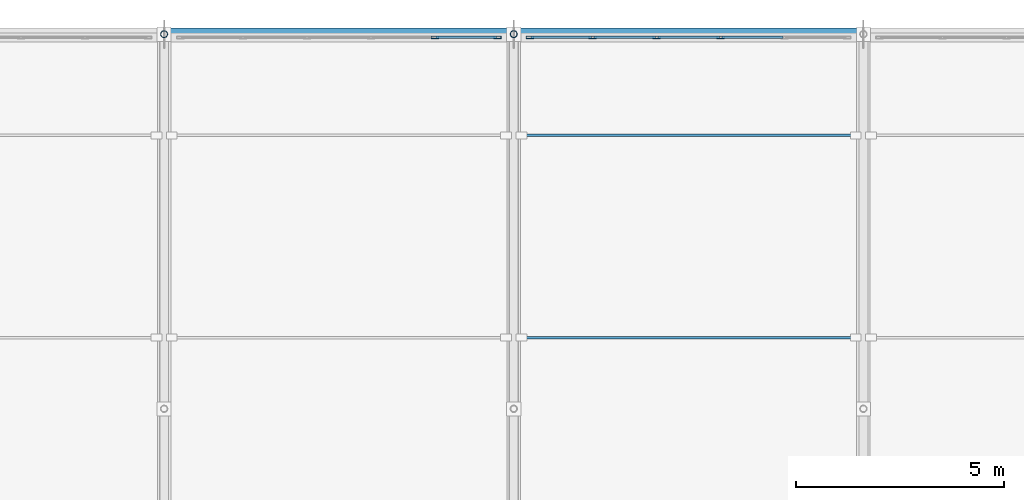
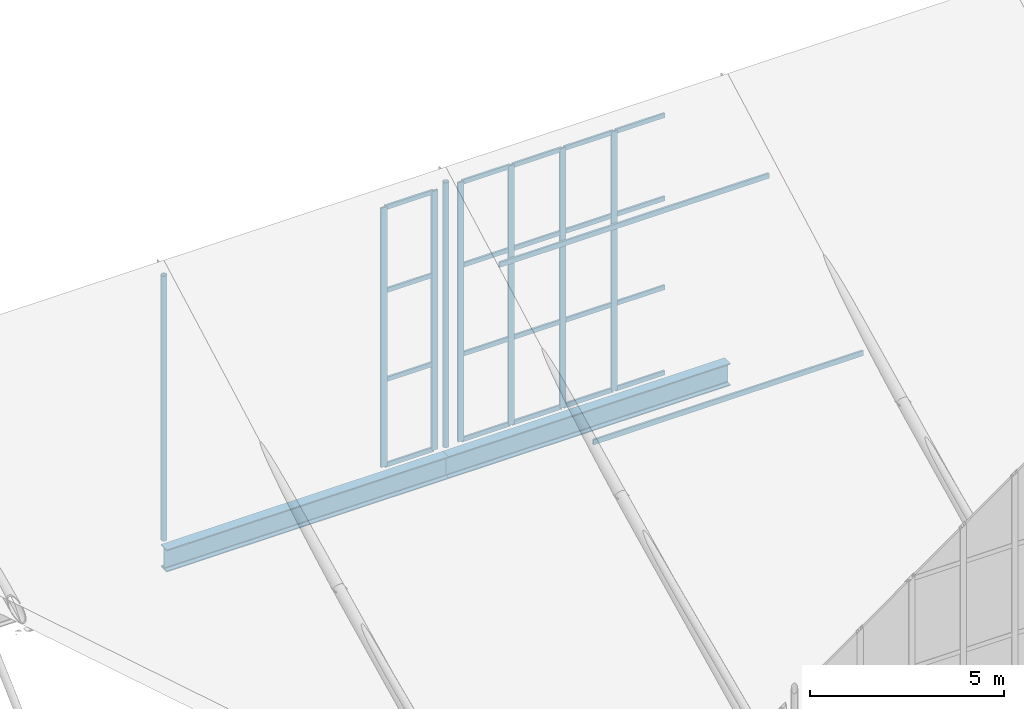
# One storey, part 25 of 38: 30 members, 2 beams, 2 elements without a shape of their own.
"""IFC4 building model written with IfcOpenShell, lengths in metres."""

from ifc_helpers import new_model, si_unit, direction, frame, origin, origin_2d, place, context, subcontext, project, spatial, hollow_rectangle, hollow_circle, i_section, extrude, material, material_profile, profile_set, type_object, element, aggregate, save


model = new_model("IFC4")

# Units and contexts
model_context = context("Model", 3, precision=1e-05, world=origin(), true_north=direction((0.0, 1.0)))
body_context = subcontext(model_context, "Body", "Model", "MODEL_VIEW")
ifc_project = project(units=[si_unit("LENGTHUNIT", "METRE"), si_unit("AREAUNIT", "SQUARE_METRE"), si_unit("VOLUMEUNIT", "CUBIC_METRE"), si_unit("PLANEANGLEUNIT", "RADIAN"), si_unit("MASSUNIT", "GRAM", prefix="KILO")], contexts=[model_context])

# Site, building, storey
site_placement = place(None, origin())
site = spatial("IfcSite", under=ifc_project, at=site_placement, CompositionType="ELEMENT")
building_placement = place(site_placement, origin())
building = spatial("IfcBuilding", under=site, at=building_placement, Name="Veltarok Museum of Natural Sciences", CompositionType="ELEMENT")
storey_placement = place(building_placement, frame((0.0, 0.0, 31.199951171875)))
storey = spatial("IfcBuildingStorey", under=building, at=storey_placement, Name="RF", CompositionType="ELEMENT", Elevation=31.199951171875)

# Beams
ifc_material_1 = material(Name="Steel S355J2", Category="steel")
ifc_material_profile_1 = material_profile(ifc_material_1, i_section(OverallWidth=0.300048828125, OverallDepth=0.699951171875, WebThickness=0.01708984375, FlangeThickness=0.031982421875, FilletRadius=0.027099609375, at=origin_2d()), Name="HEB 700")
ifc_profile_set_1 = profile_set([ifc_material_profile_1], Name="Steel S355J2")
beam_type = type_object("IfcBeamType", Name="Long-Span Hall Girder HEB 700", PredefinedType="BEAM", material=ifc_profile_set_1)
beam_1_placement = place(storey_placement, frame((65.199951171875, 72.0, -6.389892578125), z_axis=(1.0, 0.0, 0.0), x_axis=(0.0, 1.0, 0.0)))
element("IfcBeam", 1, at=beam_1_placement, inside=storey, type_object=beam_type, Name="Sawtooth Valley Girder 8-9 Y=72.0", PredefinedType="BEAM", context=body_context, shape_type="SweptSolid", body=[
    extrude(i_section(OverallWidth=0.300048828125, OverallDepth=0.699951171875, WebThickness=0.01708984375, FlangeThickness=0.031982421875, FilletRadius=0.027099609375, at=origin_2d()), origin(), (0.0, 0.0, 1.0), 8.400146484375),
])
beam_2_placement = place(storey_placement, frame((73.60009765625, 72.0, -6.389892578125), z_axis=(1.0, 0.0, 0.0), x_axis=(0.0, 1.0, 0.0)))
element("IfcBeam", 2, at=beam_2_placement, inside=storey, type_object=beam_type, Name="Sawtooth Valley Girder 9-10 Y=72.0", PredefinedType="BEAM", context=body_context, shape_type="SweptSolid", body=[
    extrude(i_section(OverallWidth=0.300048828125, OverallDepth=0.699951171875, WebThickness=0.01708984375, FlangeThickness=0.031982421875, FilletRadius=0.027099609375, at=origin_2d()), origin(), (0.0, 0.0, 1.0), 8.39990234375),
])

# Curtain wall, members
ifc_material_2 = material(Name="Low-iron triple insulated glass", Category="glass")
curtain_wall_type = type_object("IfcCurtainWallType", Name="Curtain Wall System CW-SAW-M2-768x817 (Sawtooth North Clerestory M2 768x817cm)", PredefinedType="NOTDEFINED", material=ifc_material_2)
curtain_wall_1_placement = place(storey_placement, origin())
curtain_wall_1 = element("IfcCurtainWall", 3, at=curtain_wall_1_placement, inside=storey, type_object=curtain_wall_type, Name="Curtain Wall CW-SAW-M2-768x817 CW-SAW-0079", PredefinedType="NOTDEFINED")
ifc_material_3 = material(Name="Thermally broken anodised aluminium", Category="aluminium")
ifc_material_profile_2 = material_profile(ifc_material_3, hollow_rectangle(XDim=0.06005859375, YDim=0.179931640625, WallThickness=0.006103515625, at=origin_2d()), Name="CW MULLION 60x180x6")
ifc_profile_set_2 = profile_set([ifc_material_profile_2], Name="Thermally broken anodised aluminium")
member_type_1 = type_object("IfcMemberType", Name="Sawtooth Clerestory Mullion 60x180x6", PredefinedType="MULLION", material=ifc_profile_set_2)
member_1_placement = place(storey_placement, frame((73.2099609375, 71.919921875, -5.719970703125), z_axis=(0.0, 0.0, 1.0), x_axis=(0.0, -1.0, 0.0)))
member_1 = element("IfcMember", 4, at=member_1_placement, type_object=member_type_1, Name="CW-SAW-M2-768x817 mullion 1", PredefinedType="MULLION", context=body_context, shape_type="SweptSolid", body=[
    extrude(hollow_rectangle(XDim=0.06005859375, YDim=0.179931640625, WallThickness=0.006103515625, at=origin_2d()), origin(), (0.0, 0.0, 1.0), 8.169921875),
])
member_2_placement = place(storey_placement, frame((71.7041015625, 71.919921875, -5.719970703125), z_axis=(0.0, 0.0, 1.0), x_axis=(0.0, -1.0, 0.0)))
member_2 = element("IfcMember", 5, at=member_2_placement, type_object=member_type_1, Name="CW-SAW-M2-768x817 mullion 2", PredefinedType="MULLION", context=body_context, shape_type="SweptSolid", body=[
    extrude(hollow_rectangle(XDim=0.06005859375, YDim=0.179931640625, WallThickness=0.006103515625, at=origin_2d()), origin(), (0.0, 0.0, 1.0), 8.169921875),
])

curtain_wall_2_placement = place(storey_placement, origin())
curtain_wall_2 = element("IfcCurtainWall", 6, at=curtain_wall_2_placement, inside=storey, type_object=curtain_wall_type, Name="Curtain Wall CW-SAW-M2-768x817 CW-SAW-0081", PredefinedType="NOTDEFINED")
member_3_placement = place(storey_placement, frame((78.568115234375, 71.919921875, -5.719970703125), z_axis=(0.0, 0.0, 1.0), x_axis=(0.0, -1.0, 0.0)))
member_3 = element("IfcMember", 7, at=member_3_placement, type_object=member_type_1, Name="CW-SAW-M2-768x817 mullion 3", PredefinedType="MULLION", context=body_context, shape_type="SweptSolid", body=[
    extrude(hollow_rectangle(XDim=0.06005859375, YDim=0.179931640625, WallThickness=0.006103515625, at=origin_2d()), origin(), (0.0, 0.0, 1.0), 8.169921875),
])
member_4_placement = place(storey_placement, frame((77.031982421875, 71.919921875, -5.719970703125), z_axis=(0.0, 0.0, 1.0), x_axis=(0.0, -1.0, 0.0)))
member_4 = element("IfcMember", 8, at=member_4_placement, type_object=member_type_1, Name="CW-SAW-M2-768x817 mullion 4", PredefinedType="MULLION", context=body_context, shape_type="SweptSolid", body=[
    extrude(hollow_rectangle(XDim=0.06005859375, YDim=0.179931640625, WallThickness=0.006103515625, at=origin_2d()), origin(), (0.0, 0.0, 1.0), 8.169921875),
])
member_5_placement = place(storey_placement, frame((75.49609375, 71.919921875, -5.719970703125), z_axis=(0.0, 0.0, 1.0), x_axis=(0.0, -1.0, 0.0)))
member_5 = element("IfcMember", 9, at=member_5_placement, type_object=member_type_1, Name="CW-SAW-M2-768x817 mullion 5", PredefinedType="MULLION", context=body_context, shape_type="SweptSolid", body=[
    extrude(hollow_rectangle(XDim=0.06005859375, YDim=0.179931640625, WallThickness=0.006103515625, at=origin_2d()), origin(), (0.0, 0.0, 1.0), 8.169921875),
])
member_6_placement = place(storey_placement, frame((73.989990234375, 71.919921875, -5.719970703125), z_axis=(0.0, 0.0, 1.0), x_axis=(0.0, -1.0, 0.0)))
member_6 = element("IfcMember", 10, at=member_6_placement, type_object=member_type_1, Name="CW-SAW-M2-768x817 mullion 6", PredefinedType="MULLION", context=body_context, shape_type="SweptSolid", body=[
    extrude(hollow_rectangle(XDim=0.06005859375, YDim=0.179931640625, WallThickness=0.006103515625, at=origin_2d()), origin(), (0.0, 0.0, 1.0), 8.169921875),
])

# Member
ifc_material_profile_3 = material_profile(ifc_material_3, hollow_rectangle(XDim=0.06005859375, YDim=0.139892578125, WallThickness=0.0048828125, at=origin_2d()), Name="CW TRANSOM 60x140x5")
ifc_profile_set_3 = profile_set([ifc_material_profile_3], Name="Thermally broken anodised aluminium")
member_type_2 = type_object("IfcMemberType", Name="Sawtooth Clerestory Transom 60x140x5", PredefinedType="USERDEFINED", material=ifc_profile_set_3)
member_7_placement = place(storey_placement, frame((73.179931640625, 71.919921875, -5.68994140625), z_axis=(-1.0, 0.0, 0.0), x_axis=(0.0, -1.0, 0.0)))
member_7 = element("IfcMember", 11, at=member_7_placement, type_object=member_type_2, Name="CW-SAW-M2-768x817 transom 1.1", ObjectType="TRANSOM", PredefinedType="USERDEFINED", context=body_context, shape_type="SweptSolid", body=[
    extrude(hollow_rectangle(XDim=0.06005859375, YDim=0.139892578125, WallThickness=0.0048828125, at=origin_2d()), origin(), (0.0, 0.0, 1.0), 1.446044921875),
])

member_8_placement = place(storey_placement, frame((73.179931640625, 71.919921875, -3.0), z_axis=(-1.0, 0.0, 0.0), x_axis=(0.0, -1.0, 0.0)))
member_8 = element("IfcMember", 12, at=member_8_placement, type_object=member_type_2, Name="CW-SAW-M2-768x817 transom 1.2", ObjectType="TRANSOM", PredefinedType="USERDEFINED", context=body_context, shape_type="SweptSolid", body=[
    extrude(hollow_rectangle(XDim=0.06005859375, YDim=0.139892578125, WallThickness=0.0048828125, at=origin_2d()), origin(), (0.0, 0.0, 1.0), 1.446044921875),
])

member_9_placement = place(storey_placement, frame((73.179931640625, 71.919921875, -0.199951171875), z_axis=(-1.0, 0.0, 0.0), x_axis=(0.0, -1.0, 0.0)))
member_9 = element("IfcMember", 13, at=member_9_placement, type_object=member_type_2, Name="CW-SAW-M2-768x817 transom 1.3", ObjectType="TRANSOM", PredefinedType="USERDEFINED", context=body_context, shape_type="SweptSolid", body=[
    extrude(hollow_rectangle(XDim=0.06005859375, YDim=0.139892578125, WallThickness=0.0048828125, at=origin_2d()), origin(), (0.0, 0.0, 1.0), 1.446044921875),
])

member_10_placement = place(storey_placement, frame((73.179931640625, 71.919921875, 2.420166015625), z_axis=(-1.0, 0.0, 0.0), x_axis=(0.0, -1.0, 0.0)))
member_10 = element("IfcMember", 14, at=member_10_placement, type_object=member_type_2, Name="CW-SAW-M2-768x817 transom 1.4", ObjectType="TRANSOM", PredefinedType="USERDEFINED", context=body_context, shape_type="SweptSolid", body=[
    extrude(hollow_rectangle(XDim=0.06005859375, YDim=0.139892578125, WallThickness=0.0048828125, at=origin_2d()), origin(), (0.0, 0.0, 1.0), 1.446044921875),
])

aggregate(curtain_wall_1, [member_1, member_2, member_7, member_8, member_9, member_10])

member_11_placement = place(storey_placement, frame((80.073974609375, 71.919921875, -5.68994140625), z_axis=(-1.0, 0.0, 0.0), x_axis=(0.0, -1.0, 0.0)))
member_11 = element("IfcMember", 15, at=member_11_placement, type_object=member_type_2, Name="CW-SAW-M2-768x817 transom 2.1", ObjectType="TRANSOM", PredefinedType="USERDEFINED", context=body_context, shape_type="SweptSolid", body=[
    extrude(hollow_rectangle(XDim=0.06005859375, YDim=0.139892578125, WallThickness=0.0048828125, at=origin_2d()), origin(), (0.0, 0.0, 1.0), 1.47607421875),
])

member_12_placement = place(storey_placement, frame((80.073974609375, 71.919921875, -3.0), z_axis=(-1.0, 0.0, 0.0), x_axis=(0.0, -1.0, 0.0)))
member_12 = element("IfcMember", 16, at=member_12_placement, type_object=member_type_2, Name="CW-SAW-M2-768x817 transom 2.2", ObjectType="TRANSOM", PredefinedType="USERDEFINED", context=body_context, shape_type="SweptSolid", body=[
    extrude(hollow_rectangle(XDim=0.06005859375, YDim=0.139892578125, WallThickness=0.0048828125, at=origin_2d()), origin(), (0.0, 0.0, 1.0), 1.47607421875),
])

member_13_placement = place(storey_placement, frame((80.073974609375, 71.919921875, -0.199951171875), z_axis=(-1.0, 0.0, 0.0), x_axis=(0.0, -1.0, 0.0)))
member_13 = element("IfcMember", 17, at=member_13_placement, type_object=member_type_2, Name="CW-SAW-M2-768x817 transom 2.3", ObjectType="TRANSOM", PredefinedType="USERDEFINED", context=body_context, shape_type="SweptSolid", body=[
    extrude(hollow_rectangle(XDim=0.06005859375, YDim=0.139892578125, WallThickness=0.0048828125, at=origin_2d()), origin(), (0.0, 0.0, 1.0), 1.47607421875),
])

member_14_placement = place(storey_placement, frame((80.073974609375, 71.919921875, 2.420166015625), z_axis=(-1.0, 0.0, 0.0), x_axis=(0.0, -1.0, 0.0)))
member_14 = element("IfcMember", 18, at=member_14_placement, type_object=member_type_2, Name="CW-SAW-M2-768x817 transom 2.4", ObjectType="TRANSOM", PredefinedType="USERDEFINED", context=body_context, shape_type="SweptSolid", body=[
    extrude(hollow_rectangle(XDim=0.06005859375, YDim=0.139892578125, WallThickness=0.0048828125, at=origin_2d()), origin(), (0.0, 0.0, 1.0), 1.47607421875),
])

member_15_placement = place(storey_placement, frame((78.5380859375, 71.919921875, -5.68994140625), z_axis=(-1.0, 0.0, 0.0), x_axis=(0.0, -1.0, 0.0)))
member_15 = element("IfcMember", 19, at=member_15_placement, type_object=member_type_2, Name="CW-SAW-M2-768x817 transom 3.1", ObjectType="TRANSOM", PredefinedType="USERDEFINED", context=body_context, shape_type="SweptSolid", body=[
    extrude(hollow_rectangle(XDim=0.06005859375, YDim=0.139892578125, WallThickness=0.0048828125, at=origin_2d()), origin(), (0.0, 0.0, 1.0), 1.47607421875),
])

member_16_placement = place(storey_placement, frame((78.5380859375, 71.919921875, -3.0), z_axis=(-1.0, 0.0, 0.0), x_axis=(0.0, -1.0, 0.0)))
member_16 = element("IfcMember", 20, at=member_16_placement, type_object=member_type_2, Name="CW-SAW-M2-768x817 transom 3.2", ObjectType="TRANSOM", PredefinedType="USERDEFINED", context=body_context, shape_type="SweptSolid", body=[
    extrude(hollow_rectangle(XDim=0.06005859375, YDim=0.139892578125, WallThickness=0.0048828125, at=origin_2d()), origin(), (0.0, 0.0, 1.0), 1.47607421875),
])

member_17_placement = place(storey_placement, frame((78.5380859375, 71.919921875, -0.199951171875), z_axis=(-1.0, 0.0, 0.0), x_axis=(0.0, -1.0, 0.0)))
member_17 = element("IfcMember", 21, at=member_17_placement, type_object=member_type_2, Name="CW-SAW-M2-768x817 transom 3.3", ObjectType="TRANSOM", PredefinedType="USERDEFINED", context=body_context, shape_type="SweptSolid", body=[
    extrude(hollow_rectangle(XDim=0.06005859375, YDim=0.139892578125, WallThickness=0.0048828125, at=origin_2d()), origin(), (0.0, 0.0, 1.0), 1.47607421875),
])

member_18_placement = place(storey_placement, frame((78.5380859375, 71.919921875, 2.420166015625), z_axis=(-1.0, 0.0, 0.0), x_axis=(0.0, -1.0, 0.0)))
member_18 = element("IfcMember", 22, at=member_18_placement, type_object=member_type_2, Name="CW-SAW-M2-768x817 transom 3.4", ObjectType="TRANSOM", PredefinedType="USERDEFINED", context=body_context, shape_type="SweptSolid", body=[
    extrude(hollow_rectangle(XDim=0.06005859375, YDim=0.139892578125, WallThickness=0.0048828125, at=origin_2d()), origin(), (0.0, 0.0, 1.0), 1.47607421875),
])

member_19_placement = place(storey_placement, frame((77.001953125, 71.919921875, -5.68994140625), z_axis=(-1.0, 0.0, 0.0), x_axis=(0.0, -1.0, 0.0)))
member_19 = element("IfcMember", 23, at=member_19_placement, type_object=member_type_2, Name="CW-SAW-M2-768x817 transom 4.1", ObjectType="TRANSOM", PredefinedType="USERDEFINED", context=body_context, shape_type="SweptSolid", body=[
    extrude(hollow_rectangle(XDim=0.06005859375, YDim=0.139892578125, WallThickness=0.0048828125, at=origin_2d()), origin(), (0.0, 0.0, 1.0), 1.47607421875),
])

member_20_placement = place(storey_placement, frame((77.001953125, 71.919921875, -3.0), z_axis=(-1.0, 0.0, 0.0), x_axis=(0.0, -1.0, 0.0)))
member_20 = element("IfcMember", 24, at=member_20_placement, type_object=member_type_2, Name="CW-SAW-M2-768x817 transom 4.2", ObjectType="TRANSOM", PredefinedType="USERDEFINED", context=body_context, shape_type="SweptSolid", body=[
    extrude(hollow_rectangle(XDim=0.06005859375, YDim=0.139892578125, WallThickness=0.0048828125, at=origin_2d()), origin(), (0.0, 0.0, 1.0), 1.47607421875),
])

member_21_placement = place(storey_placement, frame((77.001953125, 71.919921875, -0.199951171875), z_axis=(-1.0, 0.0, 0.0), x_axis=(0.0, -1.0, 0.0)))
member_21 = element("IfcMember", 25, at=member_21_placement, type_object=member_type_2, Name="CW-SAW-M2-768x817 transom 4.3", ObjectType="TRANSOM", PredefinedType="USERDEFINED", context=body_context, shape_type="SweptSolid", body=[
    extrude(hollow_rectangle(XDim=0.06005859375, YDim=0.139892578125, WallThickness=0.0048828125, at=origin_2d()), origin(), (0.0, 0.0, 1.0), 1.47607421875),
])

member_22_placement = place(storey_placement, frame((77.001953125, 71.919921875, 2.420166015625), z_axis=(-1.0, 0.0, 0.0), x_axis=(0.0, -1.0, 0.0)))
member_22 = element("IfcMember", 26, at=member_22_placement, type_object=member_type_2, Name="CW-SAW-M2-768x817 transom 4.4", ObjectType="TRANSOM", PredefinedType="USERDEFINED", context=body_context, shape_type="SweptSolid", body=[
    extrude(hollow_rectangle(XDim=0.06005859375, YDim=0.139892578125, WallThickness=0.0048828125, at=origin_2d()), origin(), (0.0, 0.0, 1.0), 1.47607421875),
])

member_23_placement = place(storey_placement, frame((75.466064453125, 71.919921875, -5.68994140625), z_axis=(-1.0, 0.0, 0.0), x_axis=(0.0, -1.0, 0.0)))
member_23 = element("IfcMember", 27, at=member_23_placement, type_object=member_type_2, Name="CW-SAW-M2-768x817 transom 5.1", ObjectType="TRANSOM", PredefinedType="USERDEFINED", context=body_context, shape_type="SweptSolid", body=[
    extrude(hollow_rectangle(XDim=0.06005859375, YDim=0.139892578125, WallThickness=0.0048828125, at=origin_2d()), origin(), (0.0, 0.0, 1.0), 1.446044921875),
])

member_24_placement = place(storey_placement, frame((75.466064453125, 71.919921875, -3.0), z_axis=(-1.0, 0.0, 0.0), x_axis=(0.0, -1.0, 0.0)))
member_24 = element("IfcMember", 28, at=member_24_placement, type_object=member_type_2, Name="CW-SAW-M2-768x817 transom 5.2", ObjectType="TRANSOM", PredefinedType="USERDEFINED", context=body_context, shape_type="SweptSolid", body=[
    extrude(hollow_rectangle(XDim=0.06005859375, YDim=0.139892578125, WallThickness=0.0048828125, at=origin_2d()), origin(), (0.0, 0.0, 1.0), 1.446044921875),
])

member_25_placement = place(storey_placement, frame((75.466064453125, 71.919921875, -0.199951171875), z_axis=(-1.0, 0.0, 0.0), x_axis=(0.0, -1.0, 0.0)))
member_25 = element("IfcMember", 29, at=member_25_placement, type_object=member_type_2, Name="CW-SAW-M2-768x817 transom 5.3", ObjectType="TRANSOM", PredefinedType="USERDEFINED", context=body_context, shape_type="SweptSolid", body=[
    extrude(hollow_rectangle(XDim=0.06005859375, YDim=0.139892578125, WallThickness=0.0048828125, at=origin_2d()), origin(), (0.0, 0.0, 1.0), 1.446044921875),
])

member_26_placement = place(storey_placement, frame((75.466064453125, 71.919921875, 2.420166015625), z_axis=(-1.0, 0.0, 0.0), x_axis=(0.0, -1.0, 0.0)))
member_26 = element("IfcMember", 30, at=member_26_placement, type_object=member_type_2, Name="CW-SAW-M2-768x817 transom 5.4", ObjectType="TRANSOM", PredefinedType="USERDEFINED", context=body_context, shape_type="SweptSolid", body=[
    extrude(hollow_rectangle(XDim=0.06005859375, YDim=0.139892578125, WallThickness=0.0048828125, at=origin_2d()), origin(), (0.0, 0.0, 1.0), 1.446044921875),
])

aggregate(curtain_wall_2, [member_3, member_4, member_5, member_6, member_11, member_12, member_13, member_14, member_15, member_16, member_17, member_18, member_19, member_20, member_21, member_22, member_23, member_24, member_25, member_26])

# Members
ifc_material_profile_4 = material_profile(ifc_material_1, hollow_rectangle(XDim=0.06005859375, YDim=0.159912109375, WallThickness=0.0048828125, at=origin_2d()), Name="RHS 160x60x5")
ifc_profile_set_4 = profile_set([ifc_material_profile_4], Name="Steel S355J2")
member_type_3 = type_object("IfcMemberType", Name="Sawtooth Roof Purlin RHS 160x60x5", PredefinedType="PURLIN", material=ifc_profile_set_4)
for number, where, z_axis, x_axis, name in (
    (31, (73.780029296875, 64.7099609375, -1.310302734375), (1.0, 0.0, 0.0), (0.0, 1.0, 0.0), "Sawtooth Purlin 9-10 M2"),
    (32, (73.780029296875, 69.570068359375, 1.32958984375), (1.0, 0.0, 0.0), (0.0, 1.0, 0.0), "Sawtooth Purlin 9-10 M2"),
):
    element("IfcMember", number, at=place(storey_placement, frame(where, z_axis=z_axis, x_axis=x_axis)), inside=storey, type_object=member_type_3, Name=name, PredefinedType="PURLIN", context=body_context, shape_type="SweptSolid", body=[
        extrude(hollow_rectangle(XDim=0.06005859375, YDim=0.159912109375, WallThickness=0.0048828125, at=origin_2d()), origin(), (0.0, 0.0, 1.0), 8.0400390625),
    ])
ifc_material_4 = material(Name="Oxide-red painted Steel S355J2", Category="steel")
ifc_material_profile_5 = material_profile(ifc_material_4, hollow_circle(Radius=0.084228515625, WallThickness=0.008056640625, at=origin_2d()), Name="CHS 168.3x8")
ifc_profile_set_5 = profile_set([ifc_material_profile_5], Name="Oxide-red painted Steel S355J2")
member_type_4 = type_object("IfcMemberType", Name="Sawtooth Truss Vertical Strut CHS 168.3x8", PredefinedType="STRUT", material=ifc_profile_set_5)
for number, where, z_axis, x_axis, name in (
    (33, (65.199951171875, 72.0, -5.800048828125), (0.0, 0.0, 1.0), (1.0, 0.0, 0.0), "Roof Truss Strut 8 M2"),
    (34, (73.60009765625, 72.0, -5.800048828125), (0.0, 0.0, 1.0), (1.0, 0.0, 0.0), "Roof Truss Strut 9 M2"),
):
    element("IfcMember", number, at=place(storey_placement, frame(where, z_axis=z_axis, x_axis=x_axis)), inside=storey, type_object=member_type_4, Name=name, PredefinedType="STRUT", context=body_context, shape_type="SweptSolid", body=[
        extrude(hollow_circle(Radius=0.084228515625, WallThickness=0.008056640625, at=origin_2d()), origin(), (0.0, 0.0, 1.0), 8.35009765625),
    ])

save(model, "model.ifc")
